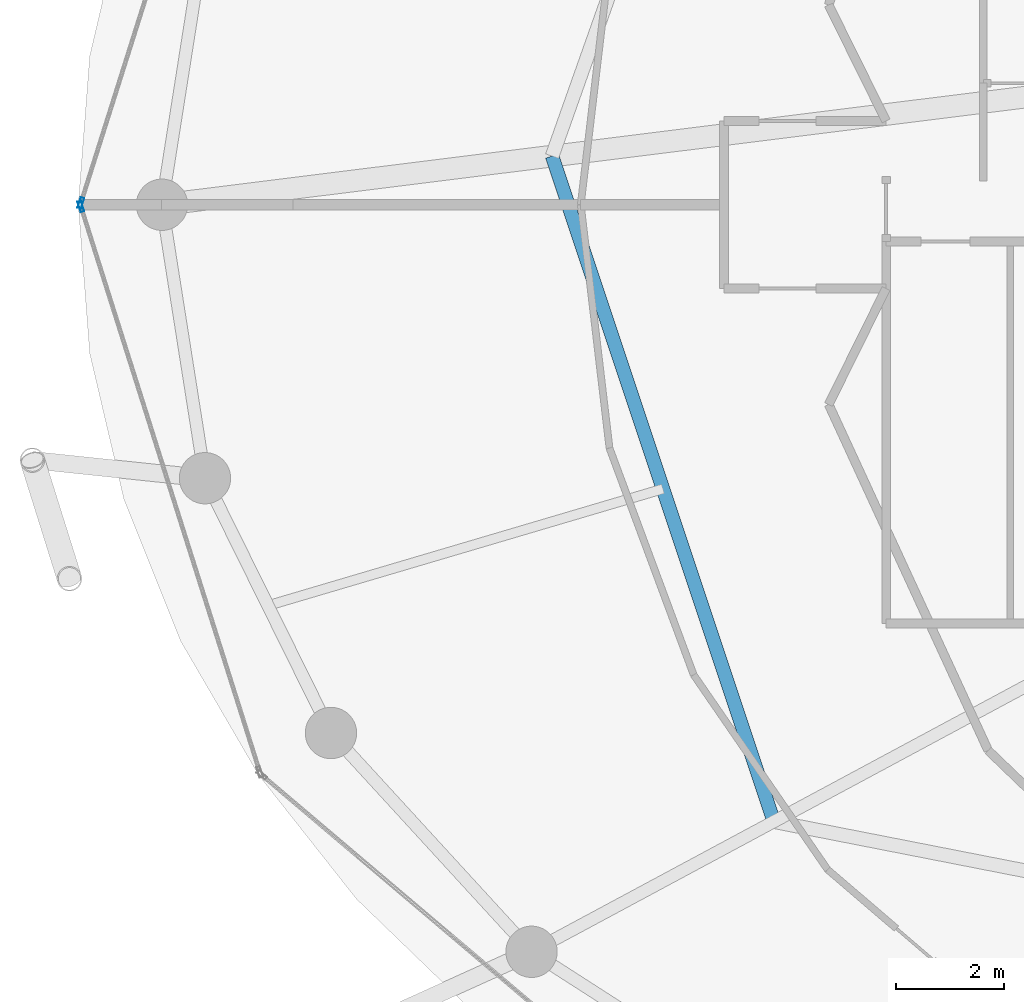
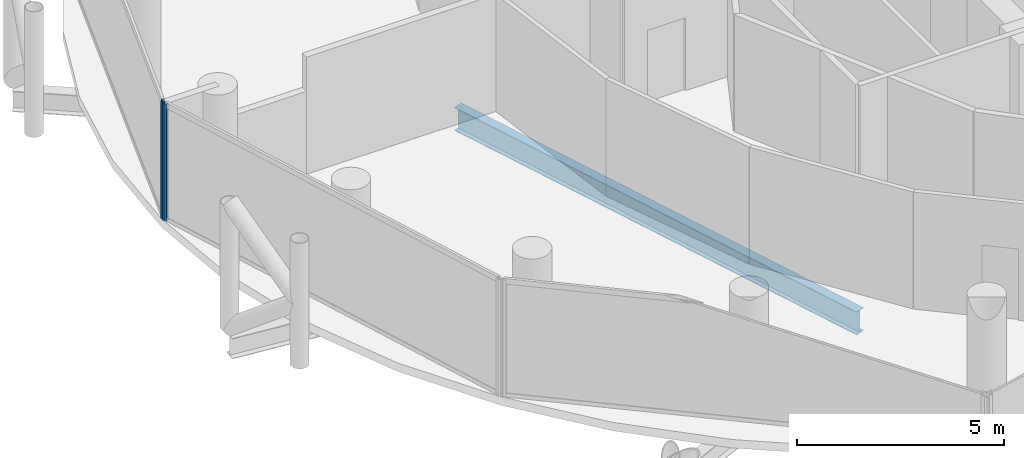
# One storey, part 6 of 26: 2 members, 1 beam, 2 elements without a shape of their own.
"""IFC4 building model written with IfcOpenShell, lengths in metres."""

from ifc_helpers import new_model, si_unit, direction, frame, origin, origin_2d, place, context, subcontext, project, spatial, hollow_rectangle, i_section, extrude, material, layer, layer_set, material_profile, profile_set, type_object, element, aggregate, save


model = new_model("IFC4")

# Units and contexts
model_context = context("Model", 3, precision=1e-05, world=origin(), true_north=direction((0.0, 1.0)))
body_context = subcontext(model_context, "Body", "Model", "MODEL_VIEW")
ifc_project = project(units=[si_unit("LENGTHUNIT", "METRE"), si_unit("AREAUNIT", "SQUARE_METRE"), si_unit("VOLUMEUNIT", "CUBIC_METRE"), si_unit("PLANEANGLEUNIT", "RADIAN"), si_unit("MASSUNIT", "GRAM", prefix="KILO")], contexts=[model_context])

# Site, building, storey
site_placement = place(None, origin())
site = spatial("IfcSite", under=ifc_project, at=site_placement, CompositionType="ELEMENT")
building_placement = place(site_placement, origin())
building = spatial("IfcBuilding", under=site, at=building_placement, Name="Nuhasar Tower", CompositionType="ELEMENT")
storey_placement = place(building_placement, frame((0.0, 0.0, 181.14990234375)))
storey = spatial("IfcBuildingStorey", under=building, at=storey_placement, Name="L44", CompositionType="ELEMENT", Elevation=181.14990234375)

# Beam
ifc_material_1 = material(Name="Steel S355", Category="steel")
ifc_material_profile_1 = material_profile(ifc_material_1, i_section(OverallWidth=0.25390625, OverallDepth=0.68408203125, WebThickness=0.012451171875, FlangeThickness=0.018798828125, at=origin_2d()), Name="W27X94")
ifc_profile_set_1 = profile_set([ifc_material_profile_1], Name="Steel S355")
beam_type = type_object("IfcBeamType", Name="BM-INRING-W27X94", PredefinedType="BEAM", material=ifc_profile_set_1)
beam_placement = place(storey_placement, frame((22.8701171875, 27.699951171875, -0.591796875), z_axis=(0.31609797573, -0.948726551615, 0.0), x_axis=(0.948726551615, 0.31609797573, 0.0)))
element("IfcBeam", 1, at=beam_placement, inside=storey, type_object=beam_type, Name="L44 Inner Header Beam 08", PredefinedType="BEAM", context=body_context, shape_type="SweptSolid", body=[
    extrude(i_section(OverallWidth=0.25390625, OverallDepth=0.68408203125, WebThickness=0.012451171875, FlangeThickness=0.018798828125, at=origin_2d()), origin(), (0.0, 0.0, 1.0), 12.9794921875),
])

# Curtain wall, member
ifc_material_2 = material(Name="Aluminium 6063-T6", Category="aluminium")
ifc_layer = layer(ifc_material_2, 0.199951171875)
ifc_layer_set = layer_set([ifc_layer], Name="Aluminium 6063-T6")
curtain_wall_type = type_object("IfcCurtainWallType", Name="CW-Z2-HTL", PredefinedType="NOTDEFINED", material=ifc_layer_set)
curtain_wall_1_placement = place(storey_placement, origin())
curtain_wall_1 = element("IfcCurtainWall", 2, at=curtain_wall_1_placement, inside=storey, type_object=curtain_wall_type, Name="L44 Unitised Curtain Wall 06", PredefinedType="NOTDEFINED")
ifc_material_profile_2 = material_profile(ifc_material_2, hollow_rectangle(XDim=0.070068359375, YDim=0.199951171875, WallThickness=0.0048828125, at=origin_2d()), Name="CWM-3")
ifc_profile_set_2 = profile_set([ifc_material_profile_2], Name="Aluminium 6063-T6")
member_type = type_object("IfcMemberType", Name="CW-MUL-S3", PredefinedType="MULLION", material=ifc_profile_set_2)
member_1_placement = place(storey_placement, frame((14.150634765625, 26.833251953125, 0.0), z_axis=(0.0, 0.0, 1.0), x_axis=(0.953433389233, -0.301603667577, 0.0)))
member_1 = element("IfcMember", 3, at=member_1_placement, type_object=member_type, Name="CW-Z2 mullion 2", PredefinedType="MULLION", context=body_context, shape_type="SweptSolid", body=[
    extrude(hollow_rectangle(XDim=0.070068359375, YDim=0.199951171875, WallThickness=0.0048828125, at=origin_2d()), origin(), (0.0, 0.0, 1.0), 3.4501953125),
])
aggregate(curtain_wall_1, [member_1])

curtain_wall_2_placement = place(storey_placement, origin())
curtain_wall_2 = element("IfcCurtainWall", 4, at=curtain_wall_2_placement, inside=storey, type_object=curtain_wall_type, Name="L44 Unitised Curtain Wall 07", PredefinedType="NOTDEFINED")
member_2_placement = place(storey_placement, frame((14.150634765625, 26.7666015625, 0.0), z_axis=(0.0, 0.0, 1.0), x_axis=(0.953433389233, 0.301603667577, 0.0)))
member_2 = element("IfcMember", 5, at=member_2_placement, type_object=member_type, Name="CW-Z2 mullion 1", PredefinedType="MULLION", context=body_context, shape_type="SweptSolid", body=[
    extrude(hollow_rectangle(XDim=0.070068359375, YDim=0.199951171875, WallThickness=0.0048828125, at=origin_2d()), origin(), (0.0, 0.0, 1.0), 3.4501953125),
])
aggregate(curtain_wall_2, [member_2])

save(model, "model.ifc")
